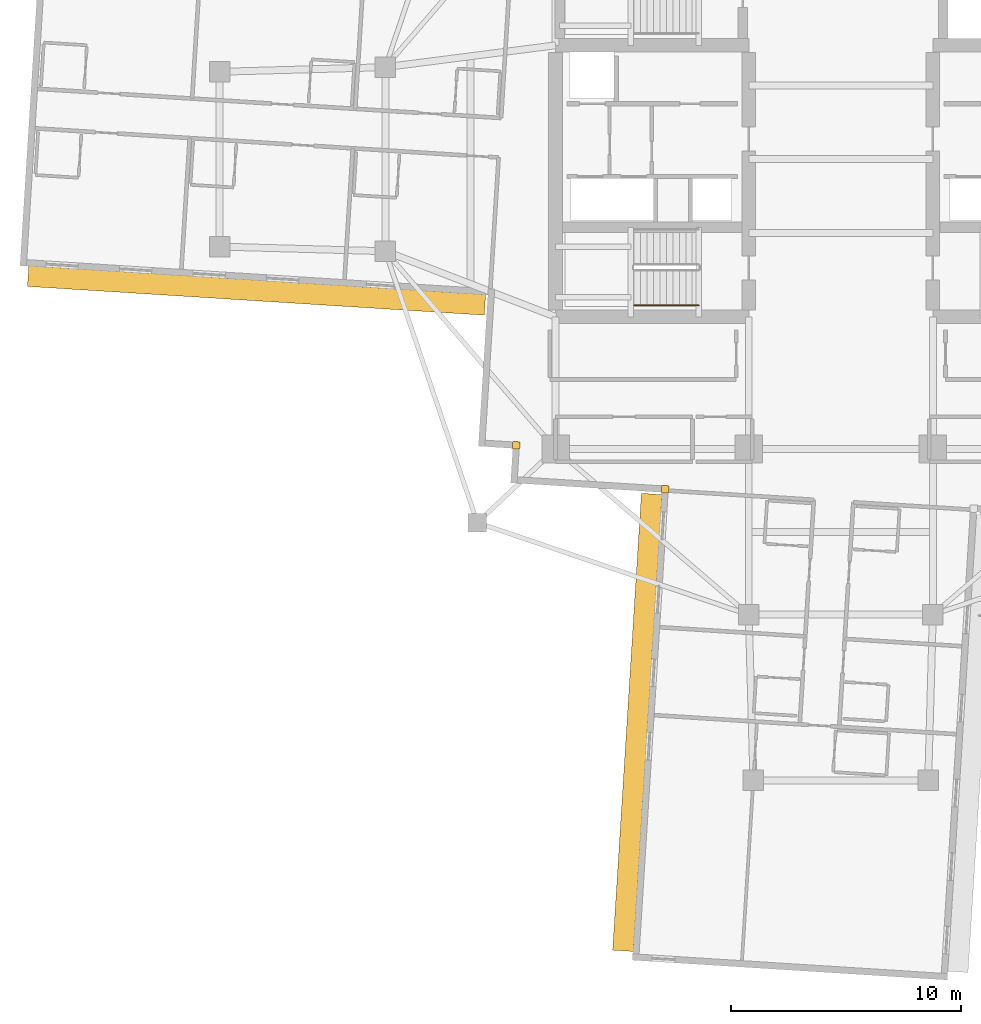
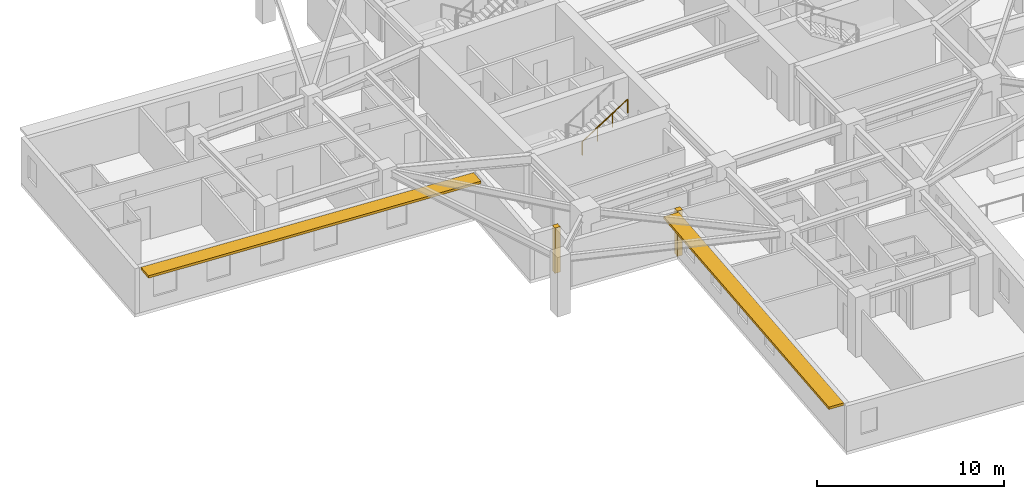
# One storey, part 10 of 14: 2 coverings, 2 shading devices, 1 railing.
"""IFC4 building model written with IfcOpenShell, lengths in metres."""

from ifc_helpers import new_model, si_unit, direction, frame, origin, origin_2d, place, context, subcontext, project, spatial, rectangle, circle, extrude, material, layer, layer_set, type_object, element, save


model = new_model("IFC4")

# Units and contexts
model_context = context("Model", 3, precision=1e-05, world=origin(), true_north=direction((0.0, 1.0)))
body_context = subcontext(model_context, "Body", "Model", "MODEL_VIEW")
ifc_project = project(units=[si_unit("LENGTHUNIT", "METRE"), si_unit("AREAUNIT", "SQUARE_METRE"), si_unit("VOLUMEUNIT", "CUBIC_METRE"), si_unit("PLANEANGLEUNIT", "RADIAN"), si_unit("MASSUNIT", "GRAM", prefix="KILO")], contexts=[model_context])

# Site, building, storey
site_placement = place(None, origin())
site = spatial("IfcSite", under=ifc_project, at=site_placement, CompositionType="ELEMENT")
building_placement = place(site_placement, origin())
building = spatial("IfcBuilding", under=site, at=building_placement, Name="Qingluan Cross Belvedere", CompositionType="ELEMENT")
storey_placement = place(building_placement, frame((0.0, 0.0, 168.300048828125)))
storey = spatial("IfcBuildingStorey", under=building, at=storey_placement, Name="L42", CompositionType="ELEMENT", Elevation=168.300048828125)

# Coverings
ifc_material_1 = material(Name="Precast concrete C45", Category="concrete")
ifc_layer_1 = layer(ifc_material_1, 0.1201171875, Name="ConcreteSpandrelCladding_120")
ifc_layer_set_1 = layer_set([ifc_layer_1], Name="Precast concrete C45")
covering_type = type_object("IfcCoveringType", Name="ConcreteSpandrelCladding_120", PredefinedType="CLADDING", material=ifc_layer_set_1)
for number, where, z_axis, x_axis, name in (
    (1, (-14.10888671875, -12.438720703125, 0.0), (0.0, 0.0, 1.0), (0.998026728428, -0.062790519529, 0.0), "Corner closure L42-SW1"),
    (2, (-7.635986328125, -14.348876953125, 0.0), (0.0, 0.0, 1.0), (0.998026728428, -0.062790519529, 0.0), "Corner closure L42-SW2"),
):
    element("IfcCovering", number, at=place(storey_placement, frame(where, z_axis=z_axis, x_axis=x_axis)), inside=storey, type_object=covering_type, Name=name, PredefinedType="CLADDING", context=body_context, shape_type="SweptSolid", body=[
        extrude(rectangle(XDim=0.320068359375, YDim=0.320068359375, at=origin_2d()), origin(), (0.0, 0.0, 1.0), 2.969970703125),
    ])

# Shading devices
ifc_material_2 = material(Name="Precast concrete C45", Category="concrete")
ifc_layer_2 = layer(ifc_material_2, 0.159912109375, Name="ConcreteSunshadeBand_900")
ifc_layer_set_2 = layer_set([ifc_layer_2], Name="Precast concrete C45")
shading_device_type = type_object("IfcShadingDeviceType", Name="ConcreteSunshadeBand_900", PredefinedType="USERDEFINED", material=ifc_layer_set_2)
for number, where, z_axis, x_axis, name in (
    (3, (-25.3984375, -5.70654296875, 2.7900390625), (0.0, 0.0, 1.0), (0.998026999973, -0.062786203294, 0.0), "Concrete SUNSHADE L42-WB"),
    (4, (-8.8447265625, -24.48291015625, 2.7900390625), (0.0, 0.0, 1.0), (-0.062791158819, -0.998026688207, 0.0), "Concrete SUNSHADE L42-SA"),
):
    element("IfcShadingDevice", number, at=place(storey_placement, frame(where, z_axis=z_axis, x_axis=x_axis)), inside=storey, type_object=shading_device_type, Name=name, ObjectType="SUNSHADE", PredefinedType="USERDEFINED", context=body_context, shape_type="SweptSolid", body=[
        extrude(rectangle(XDim=19.89990234375, YDim=0.89990234375, at=origin_2d()), origin(), (0.0, 0.0, 1.0), 0.159912109375),
    ])

# Railing
ifc_material_3 = material(Name="Brushed stainless steel tubular handrail", Category="steel")
railing_type = type_object("IfcRailingType", Name="StairPitchHandrail_900", PredefinedType="HANDRAIL", material=ifc_material_3)
railing_placement = place(storey_placement, frame((-8.97998046875, -6.35009765625, 2.127197265625)))
element("IfcRailing", 5, at=railing_placement, inside=storey, type_object=railing_type, Name="L42 ST1 stair handrail 2", PredefinedType="HANDRAIL", context=body_context, shape_type="SweptSolid", body=[
    extrude(circle(Radius=0.02392578125, at=origin_2d()), frame((0.0, 0.0, 0.8759765625), z_axis=(0.844908973607, 0.0, 0.534910110503), x_axis=(0.0, 1.0, 0.0)), (0.0, 0.0, 1.0), 3.31396484375),
    extrude(circle(Radius=0.02099609375, at=origin_2d()), origin(), (0.0, 0.0, 1.0), 0.851806640625),
    extrude(circle(Radius=0.02099609375, at=origin_2d()), frame((0.933349609375, 0.0, 0.5908203125)), (0.0, 0.0, 1.0), 0.851806640625),
    extrude(circle(Radius=0.02099609375, at=origin_2d()), frame((1.86669921875, 0.0, 1.181884765625)), (0.0, 0.0, 1.0), 0.851806640625),
    extrude(circle(Radius=0.02099609375, at=origin_2d()), frame((2.800048828125, 0.0, 1.772705078125)), (0.0, 0.0, 1.0), 0.851806640625),
])

save(model, "model.ifc")
